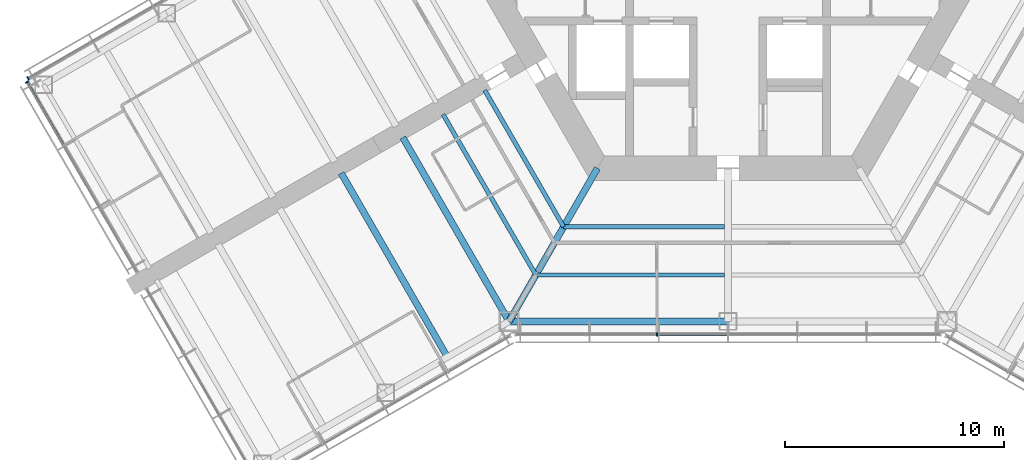
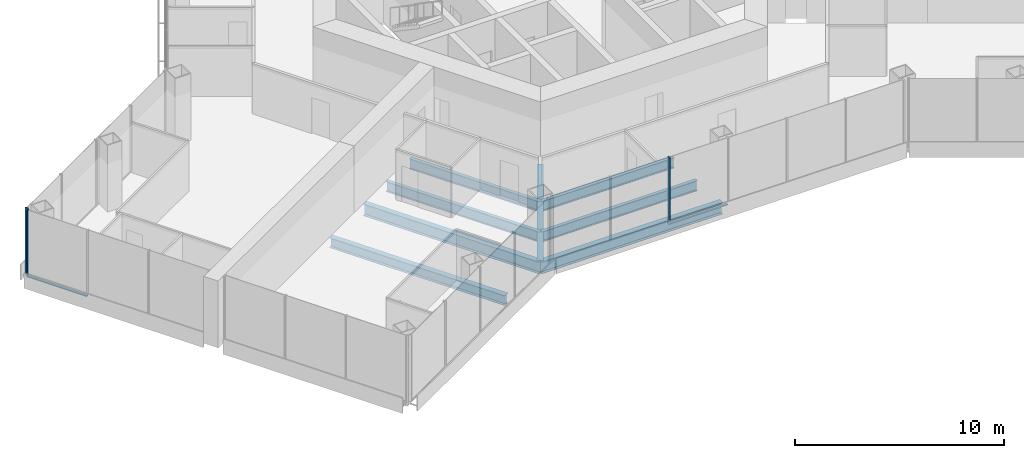
# One storey, part 3 of 19: 8 beams, 5 members, 3 elements without a shape of their own.
"""IFC4 building model written with IfcOpenShell, lengths in metres."""

import ifcopenshell
import ifcopenshell.guid

model = None  # the IFC model being written
_history = None  # IfcOwnerHistory: only IFC2X3 demands one
_inside = {}  # id of a spatial element -> (the spatial element, [elements in it])
_under = {}  # id of a project, library or spatial element -> (it, [spatial elements below it])
_declared = {}  # id of a project -> (the project, [libraries it declares])
_typed = {}  # id of a type object -> (the type object, [elements of that type])
_made_of = {}  # id of a material, layer set ... -> (it, [elements and type objects made of it])


def new_model(schema):
    """Start an empty IFC model of exactly this schema.

    Asked for "IFC4X3", IfcOpenShell would pick the latest addendum, in which some entities
    have other attributes; the version numbers below select the first issue.
    IFC2X3 requires an IfcOwnerHistory on every rooted entity: one is made here for all.
    """
    global model, _history
    if schema == "IFC4X3":
        model = ifcopenshell.file(schema_version=(4, 3, 0, 0))
    else:
        model = ifcopenshell.file(schema=schema)
    _inside.clear()
    _under.clear()
    _declared.clear()
    _typed.clear()
    _made_of.clear()
    _history = None
    if model.schema == "IFC2X3":
        org = make("IfcOrganization", Name="unknown")
        user = make(
            "IfcPersonAndOrganization",
            ThePerson=make("IfcPerson", FamilyName="unknown"),
            TheOrganization=org,
        )
        app = make(
            "IfcApplication",
            ApplicationDeveloper=org,
            Version="unknown",
            ApplicationFullName="unknown",
            ApplicationIdentifier="unknown",
        )
        _history = make(
            "IfcOwnerHistory",
            OwningUser=user,
            OwningApplication=app,
            ChangeAction="ADDED",
            CreationDate=0,
        )
    return model


def make(cls, **values):
    """One entity of the class cls with the attributes given. An attribute that is None is left unset."""
    return model.create_entity(
        cls, **{name: value for name, value in values.items() if value is not None}
    )


def rooted(cls, **values):
    """An entity with a GlobalId (a new one), such as an element, a storey or a relation."""
    return make(cls, GlobalId=ifcopenshell.guid.new(), OwnerHistory=_history, **values)


def si_unit(unit_type, name, prefix=None):
    """IfcSIUnit, for example si_unit("LENGTHUNIT", "METRE", prefix="MILLI")."""
    return make("IfcSIUnit", UnitType=unit_type, Prefix=prefix, Name=name)


def assignment(units):
    """IfcUnitAssignment: the units of a project."""
    return None if units is None else make("IfcUnitAssignment", Units=units)


def point(xyz):
    """IfcCartesianPoint."""
    return None if xyz is None else make("IfcCartesianPoint", Coordinates=xyz)


def direction(xyz):
    """IfcDirection."""
    return None if xyz is None else make("IfcDirection", DirectionRatios=xyz)


def frame(location, z_axis=None, x_axis=None):
    """IfcAxis2Placement3D, a coordinate frame: its origin and axes. An axis left out is left unset."""
    return make(
        "IfcAxis2Placement3D",
        Location=point(location),
        Axis=direction(z_axis),
        RefDirection=direction(x_axis),
    )


def frame_2d(location, x_axis=None):
    """IfcAxis2Placement2D, a coordinate frame in the plane: its origin and x axis."""
    return make(
        "IfcAxis2Placement2D", Location=point(location), RefDirection=direction(x_axis)
    )


def origin():
    """The frame at (0, 0, 0) with its axes left unset."""
    return frame((0.0, 0.0, 0.0))


def origin_2d():
    """The frame at (0, 0) in the plane with its x axis left unset."""
    return frame_2d((0.0, 0.0))


def place(relative_to, where):
    """IfcLocalPlacement: puts the frame where relative to a parent placement (None: the world)."""
    return make(
        "IfcLocalPlacement", PlacementRelTo=relative_to, RelativePlacement=where
    )


def context(
    kind, dimensions, precision=None, world=None, true_north=None, identifier=None
):
    """IfcGeometricRepresentationContext, for example the 3D "Model" context."""
    return make(
        "IfcGeometricRepresentationContext",
        ContextIdentifier=identifier,
        ContextType=kind,
        CoordinateSpaceDimension=dimensions,
        Precision=precision,
        WorldCoordinateSystem=world,
        TrueNorth=true_north,
    )


def subcontext(parent, identifier, kind, view, scale=None):
    """IfcGeometricRepresentationSubContext, for example "Body" below "Model"."""
    return make(
        "IfcGeometricRepresentationSubContext",
        ContextIdentifier=identifier,
        ContextType=kind,
        ParentContext=parent,
        TargetScale=scale,
        TargetView=view,
    )


def project(units=None, contexts=None):
    """IfcProject with its units and contexts."""
    return rooted(
        "IfcProject",
        Name="project",
        RepresentationContexts=contexts,
        UnitsInContext=assignment(units),
    )


def spatial(cls, under=None, at=None, **own):
    """A site, building, storey or space (cls), placed at a placement, below another one or the project."""
    s = rooted(cls, ObjectPlacement=at, **own)
    if under is not None:
        _under.setdefault(under.id(), (under, []))[1].append(s)
    return s


def profile(cls, at=None, kind="AREA", **sizes):
    """A parametric profile (cls). Its sizes go by their IFC names, for example OverallWidth=200.0."""
    return make(cls, ProfileType=kind, Position=at, **sizes)


def rectangle(**sizes):
    """IfcRectangleProfileDef."""
    return profile("IfcRectangleProfileDef", **sizes)


def i_section(**sizes):
    """IfcIShapeProfileDef."""
    return profile("IfcIShapeProfileDef", **sizes)


def extrude(swept, where, along, depth):
    """IfcExtrudedAreaSolid: the profile swept, set in the frame where, extruded along a direction by depth."""
    return make(
        "IfcExtrudedAreaSolid",
        SweptArea=swept,
        Position=where,
        ExtrudedDirection=direction(along),
        Depth=depth,
    )


def shape(context_of_items, identifier, shape_type, items):
    """IfcShapeRepresentation: the items that make up one representation, for example the "Body"."""
    return make(
        "IfcShapeRepresentation",
        ContextOfItems=context_of_items,
        RepresentationIdentifier=identifier,
        RepresentationType=shape_type,
        Items=items,
    )


def material(Name=None, Category=None):
    """IfcMaterial."""
    return make("IfcMaterial", Name=Name, Category=Category)


def material_profile(
    of_material, cross_section, Name=None, Category=None, Priority=None
):
    """IfcMaterialProfile: a cross section and its material."""
    return make(
        "IfcMaterialProfile",
        Name=Name,
        Material=of_material,
        Profile=cross_section,
        Priority=Priority,
        Category=Category,
    )


def profile_set(profiles, Name=None, composite=None):
    """IfcMaterialProfileSet."""
    return make(
        "IfcMaterialProfileSet",
        Name=Name,
        MaterialProfiles=profiles,
        CompositeProfile=composite,
    )


def made_of(thing, what):
    """Note that an element or type object is made of a material, layer set ...; save() writes the relation."""
    if what is not None:
        _made_of.setdefault(what.id(), (what, []))[1].append(thing)
    return thing


def type_object(cls, material=None, **own):
    """A type object (cls), such as IfcWallType, which elements share."""
    return made_of(rooted(cls, **own), material)


def element(
    cls,
    number,
    at=None,
    inside=None,
    cuts=None,
    type_object=None,
    material=None,
    context=None,
    identifier="Body",
    shape_type=None,
    held_by="IfcProductDefinitionShape",
    body=None,
    shapes=None,
    **own,
):
    """One element of the class cls, such as IfcWall. Its Tag is "e" and its number.

    at: its placement. inside: the storey or other place that contains it. cuts: it is an
    opening in that element (IfcRelVoidsElement). A single representation is given by context,
    identifier, shape_type and body (its items); several are given by shapes. held_by: the class
    of the entity that holds the representations. save() writes the other relations.
    """
    e = rooted(cls, Tag="e%d" % number, ObjectPlacement=at, **own)
    if body is not None:
        shapes = [shape(context, identifier, shape_type, body)]
    if shapes is not None:
        e.Representation = make(held_by, Representations=shapes)
    if inside is not None:
        _inside.setdefault(inside.id(), (inside, []))[1].append(e)
    if cuts is not None:
        rooted(
            "IfcRelVoidsElement", RelatingBuildingElement=cuts, RelatedOpeningElement=e
        )
    if type_object is not None:
        _typed.setdefault(type_object.id(), (type_object, []))[1].append(e)
    return made_of(e, material)


def aggregate(whole, parts):
    """IfcRelAggregates: a whole, such as a stair, and the parts it consists of."""
    return rooted("IfcRelAggregates", RelatingObject=whole, RelatedObjects=parts)


def save(model, path):
    """Write the relations noted so far, then the file.

    IfcRelAggregates (storeys below a building ...), IfcRelContainedInSpatialStructure (elements
    in a storey), IfcRelDefinesByType, IfcRelAssociatesMaterial and IfcRelDeclares: one each for
    every whole, place, type object, material and project.
    """
    for whole, parts in _under.values():
        aggregate(whole, parts)
    for where, things in _inside.values():
        rooted(
            "IfcRelContainedInSpatialStructure",
            RelatedElements=things,
            RelatingStructure=where,
        )
    for kind, things in _typed.values():
        rooted("IfcRelDefinesByType", RelatedObjects=things, RelatingType=kind)
    for what, things in _made_of.values():
        rooted("IfcRelAssociatesMaterial", RelatedObjects=things, RelatingMaterial=what)
    for by, libraries in _declared.values():
        rooted("IfcRelDeclares", RelatingContext=by, RelatedDefinitions=libraries)
    model.write(path)


model = new_model("IFC4")

# Units and contexts
model_context = context("Model", 3, precision=1e-05, world=origin(), true_north=direction((0.0, 1.0)))
body_context = subcontext(model_context, "Body", "Model", "MODEL_VIEW")
ifc_project = project(units=[si_unit("LENGTHUNIT", "METRE"), si_unit("AREAUNIT", "SQUARE_METRE"), si_unit("VOLUMEUNIT", "CUBIC_METRE"), si_unit("PLANEANGLEUNIT", "RADIAN"), si_unit("MASSUNIT", "GRAM", prefix="KILO")], contexts=[model_context])

# Site, building, storey
site_placement = place(None, origin())
site = spatial("IfcSite", under=ifc_project, at=site_placement, CompositionType="ELEMENT")
building_placement = place(site_placement, origin())
building = spatial("IfcBuilding", under=site, at=building_placement, Name="Kasaneha Research Tower", CompositionType="ELEMENT")
storey_placement = place(building_placement, frame((0.0, 0.0, 96.300048828125)))
storey = spatial("IfcBuildingStorey", under=building, at=storey_placement, Name="L24", CompositionType="ELEMENT", Elevation=96.300048828125)

# Beams
ifc_material_1 = material(Name="Steel SN490B", Category="steel")
ifc_material_profile_1 = material_profile(ifc_material_1, i_section(OverallWidth=0.199951171875, OverallDepth=0.60009765625, WebThickness=0.010986328125, FlangeThickness=0.01708984375, FilletRadius=0.012939453125, at=origin_2d()), Name="H-600x200x11x17")
ifc_profile_set_1 = profile_set([ifc_material_profile_1], Name="Steel SN490B")
beam_type_1 = type_object("IfcBeamType", Name="B1-3 secondary beam H-600x200x11x17", PredefinedType="JOIST", material=ifc_profile_set_1)
beam_1_placement = place(storey_placement, frame((-7.505615234375, -13.0, -0.449951171875), z_axis=(-0.499998147991, 0.86602647304, 0.0), x_axis=(-0.86602647304, -0.499998147991, 0.0)))
element("IfcBeam", 1, at=beam_1_placement, inside=storey, type_object=beam_type_1, Name="Secondary beam RS210R1 L24", PredefinedType="JOIST", context=body_context, shape_type="SweptSolid", body=[
    extrude(i_section(OverallWidth=0.199951171875, OverallDepth=0.60009765625, WebThickness=0.010986328125, FlangeThickness=0.01708984375, FilletRadius=0.012939453125, at=origin_2d()), origin(), (0.0, 0.0, 1.0), 7.20556640625),
])
beam_2_placement = place(storey_placement, frame((-8.775634765625, -15.199951171875, -0.449951171875), z_axis=(-0.500020829043, 0.866013377797, 0.0), x_axis=(-0.866013377797, -0.500020829043, 0.0)))
element("IfcBeam", 2, at=beam_2_placement, inside=storey, type_object=beam_type_1, Name="Secondary beam RS210R2 L24", PredefinedType="JOIST", context=body_context, shape_type="SweptSolid", body=[
    extrude(i_section(OverallWidth=0.199951171875, OverallDepth=0.60009765625, WebThickness=0.010986328125, FlangeThickness=0.01708984375, FilletRadius=0.012939453125, at=origin_2d()), origin(), (0.0, 0.0, 1.0), 8.475830078125),
])
beam_3_placement = place(storey_placement, frame((-7.505615234375, -13.0, -0.449951171875), z_axis=(1.0, 0.0, 0.0), x_axis=(0.0, 1.0, 0.0)))
element("IfcBeam", 3, at=beam_3_placement, inside=storey, type_object=beam_type_1, Name="Secondary beam RS270L1 L24", PredefinedType="JOIST", context=body_context, shape_type="SweptSolid", body=[
    extrude(i_section(OverallWidth=0.199951171875, OverallDepth=0.60009765625, WebThickness=0.010986328125, FlangeThickness=0.01708984375, FilletRadius=0.012939453125, at=origin_2d()), origin(), (0.0, 0.0, 1.0), 7.355712890625),
])
beam_4_placement = place(storey_placement, frame((-8.775634765625, -15.199951171875, -0.449951171875), z_axis=(1.0, 0.0, 0.0), x_axis=(0.0, 1.0, 0.0)))
element("IfcBeam", 4, at=beam_4_placement, inside=storey, type_object=beam_type_1, Name="Secondary beam RS270L2 L24", PredefinedType="JOIST", context=body_context, shape_type="SweptSolid", body=[
    extrude(i_section(OverallWidth=0.199951171875, OverallDepth=0.60009765625, WebThickness=0.010986328125, FlangeThickness=0.01708984375, FilletRadius=0.012939453125, at=origin_2d()), origin(), (0.0, 0.0, 1.0), 8.625732421875),
])
ifc_material_2 = material(Name="Steel SN490B", Category="steel")
ifc_material_profile_2 = material_profile(ifc_material_2, i_section(OverallWidth=0.300048828125, OverallDepth=0.58203125, WebThickness=0.011962890625, FlangeThickness=0.01708984375, FilletRadius=0.012939453125, at=origin_2d()), Name="H-582x300x12x17")
ifc_profile_set_2 = profile_set([ifc_material_profile_2], Name="Steel SN490B")
beam_type_2 = type_object("IfcBeamType", Name="B2-3 secondary beam H-582x300x12x17", PredefinedType="JOIST", material=ifc_profile_set_2)
beam_5_placement = place(storey_placement, frame((-12.814697265625, -18.945556640625, -0.441162109375), z_axis=(-0.499991164321, 0.866030505006, 0.0), x_axis=(-0.866030505006, -0.499991164321, 0.0)))
element("IfcBeam", 5, at=beam_5_placement, inside=storey, type_object=beam_type_2, Name="Secondary beam WBBN1 L24", PredefinedType="JOIST", context=body_context, shape_type="SweptSolid", body=[
    extrude(i_section(OverallWidth=0.300048828125, OverallDepth=0.58203125, WebThickness=0.011962890625, FlangeThickness=0.01708984375, FilletRadius=0.012939453125, at=origin_2d()), origin(), (0.0, 0.0, 1.0), 9.699951171875),
])

# Curtain wall, member
ifc_material_3 = material(Name="Glass and aluminium", Category="aluminium")
curtain_wall_type = type_object("IfcCurtainWallType", Name="Low-rise office curtain wall", PredefinedType="USERDEFINED", material=ifc_material_3)
curtain_wall_1_placement = place(storey_placement, origin())
curtain_wall_1 = element("IfcCurtainWall", 6, at=curtain_wall_1_placement, inside=storey, type_object=curtain_wall_type, Name="CW-O1 L24 run 02a", ObjectType="UNITISED CURTAIN WALL", PredefinedType="USERDEFINED")
ifc_material_4 = material(Name="Aluminium 6063-T6", Category="aluminium")
ifc_material_profile_3 = material_profile(ifc_material_4, rectangle(XDim=0.06005859375, YDim=0.159912109375, at=origin_2d()), Name="CW-O1 mullion 60x160")
ifc_profile_set_3 = profile_set([ifc_material_profile_3], Name="Aluminium 6063-T6")
member_type_1 = type_object("IfcMemberType", Name="CW-O1 mullion", PredefinedType="MULLION", material=ifc_profile_set_3)
member_1_placement = place(storey_placement, frame((-3.246337890625, -17.92041015625, 0.0), z_axis=(0.0, 0.0, 1.0), x_axis=(1.0, 0.0, 0.0)))
member_1 = element("IfcMember", 7, at=member_1_placement, type_object=member_type_1, Name="CW-O1 mullion 3", PredefinedType="MULLION", context=body_context, shape_type="SweptSolid", body=[
    extrude(rectangle(XDim=0.06005859375, YDim=0.159912109375, at=origin_2d()), origin(), (0.0, 0.0, 1.0), 3.89990234375),
])

curtain_wall_2_placement = place(storey_placement, origin())
curtain_wall_2 = element("IfcCurtainWall", 8, at=curtain_wall_2_placement, inside=storey, type_object=curtain_wall_type, Name="CW-O1 L24 run 13a", ObjectType="UNITISED CURTAIN WALL", PredefinedType="USERDEFINED")
member_2_placement = place(storey_placement, frame((-31.96533203125, -6.21533203125, 0.0), z_axis=(0.0, 0.0, 1.0), x_axis=(-0.866025411464, -0.499999986699, 0.0)))
member_2 = element("IfcMember", 9, at=member_2_placement, type_object=member_type_1, Name="CW-O1 mullion 5", PredefinedType="MULLION", context=body_context, shape_type="SweptSolid", body=[
    extrude(rectangle(XDim=0.06005859375, YDim=0.159912109375, at=origin_2d()), origin(), (0.0, 0.0, 1.0), 3.89990234375),
])
aggregate(curtain_wall_2, [member_2])

curtain_wall_3_placement = place(storey_placement, origin())
curtain_wall_3 = element("IfcCurtainWall", 10, at=curtain_wall_3_placement, inside=storey, type_object=curtain_wall_type, Name="CW-O1 L24 run 14a", ObjectType="UNITISED CURTAIN WALL", PredefinedType="USERDEFINED")
member_3_placement = place(storey_placement, frame((-32.012939453125, -6.39306640625, 0.0), z_axis=(0.0, 0.0, 1.0), x_axis=(0.500000011442, -0.866025397178, 0.0)))
member_3 = element("IfcMember", 11, at=member_3_placement, type_object=member_type_1, Name="CW-O1 mullion 1", PredefinedType="MULLION", context=body_context, shape_type="SweptSolid", body=[
    extrude(rectangle(XDim=0.06005859375, YDim=0.159912109375, at=origin_2d()), origin(), (0.0, 0.0, 1.0), 3.89990234375),
])

# Member
ifc_material_5 = material(Name="Aluminium 6063-T6", Category="aluminium")
ifc_material_profile_4 = material_profile(ifc_material_5, rectangle(XDim=0.1201171875, YDim=0.06005859375, at=origin_2d()), Name="CW-O1 transom 120x60")
ifc_profile_set_4 = profile_set([ifc_material_profile_4], Name="Aluminium 6063-T6")
member_type_2 = type_object("IfcMemberType", Name="CW-O1 transom", PredefinedType="USERDEFINED", material=ifc_profile_set_4)
member_4_placement = place(storey_placement, frame((-3.21630859375, -17.92041015625, 0.030029296875), z_axis=(1.0, 0.0, 0.0), x_axis=(0.0, 1.0, 0.0)))
member_4 = element("IfcMember", 12, at=member_4_placement, type_object=member_type_2, Name="CW-O1 transom 3", ObjectType="TRANSOM", PredefinedType="USERDEFINED", context=body_context, shape_type="SweptSolid", body=[
    extrude(rectangle(XDim=0.1201171875, YDim=0.06005859375, at=origin_2d()), origin(), (0.0, 0.0, 1.0), 3.186279296875),
])

aggregate(curtain_wall_1, [member_1, member_4])

member_5_placement = place(storey_placement, frame((-31.998046875, -6.4189453125, 0.030029296875), z_axis=(0.500025583411, -0.866010632691, 0.0), x_axis=(0.866010632691, 0.500025583411, 0.0)))
member_5 = element("IfcMember", 13, at=member_5_placement, type_object=member_type_2, Name="CW-O1 transom 1", ObjectType="TRANSOM", PredefinedType="USERDEFINED", context=body_context, shape_type="SweptSolid", body=[
    extrude(rectangle(XDim=0.1201171875, YDim=0.06005859375, at=origin_2d()), origin(), (0.0, 0.0, 1.0), 3.276611328125),
])

aggregate(curtain_wall_3, [member_3, member_5])

# Beams
ifc_material_6 = material(Name="Steel SN490B", Category="steel")
ifc_material_profile_5 = material_profile(ifc_material_6, i_section(OverallWidth=0.300048828125, OverallDepth=0.699951171875, WebThickness=0.012939453125, FlangeThickness=0.02392578125, FilletRadius=0.01806640625, at=origin_2d()), Name="H-700x300x13x24")
ifc_profile_set_5 = profile_set([ifc_material_profile_5], Name="Steel SN490B")
beam_type_3 = type_object("IfcBeamType", Name="G1-3 radial girder H-700x300x13x24", PredefinedType="BEAM", material=ifc_profile_set_5)
beam_6_placement = place(storey_placement, frame((-5.961181640625, -10.324951171875, -0.5), z_axis=(-0.49999105496, -0.866030568144, 0.0), x_axis=(0.866030568144, -0.49999105496, 0.0)))
element("IfcBeam", 14, at=beam_6_placement, inside=storey, type_object=beam_type_3, Name="Radial girder RV240 L24", PredefinedType="BEAM", context=body_context, shape_type="SweptSolid", body=[
    extrude(i_section(OverallWidth=0.300048828125, OverallDepth=0.699951171875, WebThickness=0.012939453125, FlangeThickness=0.02392578125, FilletRadius=0.01806640625, at=origin_2d()), origin(), (0.0, 0.0, 1.0), 8.077880859375),
])
ifc_material_7 = material(Name="Steel SN490B", Category="steel")
ifc_material_profile_6 = material_profile(ifc_material_7, i_section(OverallWidth=0.300048828125, OverallDepth=0.69189453125, WebThickness=0.012939453125, FlangeThickness=0.02001953125, FilletRadius=0.01806640625, at=origin_2d()), Name="H-692x300x13x20")
ifc_profile_set_6 = profile_set([ifc_material_profile_6], Name="Steel SN490B")
beam_type_4 = type_object("IfcBeamType", Name="G3-3 plate edge girder H-692x300x13x20", PredefinedType="BEAM", material=ifc_profile_set_6)
beam_7_placement = place(storey_placement, frame((-10.0, -17.320556640625, -0.49609375), z_axis=(-0.500010041276, 0.866019606374, 0.0), x_axis=(-0.866019606374, -0.500010041276, 0.0)))
element("IfcBeam", 15, at=beam_7_placement, inside=storey, type_object=beam_type_4, Name="Plate edge girder PEBN L24", PredefinedType="BEAM", context=body_context, shape_type="SweptSolid", body=[
    extrude(i_section(OverallWidth=0.300048828125, OverallDepth=0.69189453125, WebThickness=0.012939453125, FlangeThickness=0.02001953125, FilletRadius=0.01806640625, at=origin_2d()), origin(), (0.0, 0.0, 1.0), 9.699951171875),
])
ifc_material_8 = material(Name="Steel SN490B", Category="steel")
ifc_material_profile_7 = material_profile(ifc_material_8, i_section(OverallWidth=0.300048828125, OverallDepth=0.69189453125, WebThickness=0.012939453125, FlangeThickness=0.02001953125, FilletRadius=0.01806640625, at=origin_2d()), Name="H-692x300x13x20")
ifc_profile_set_7 = profile_set([ifc_material_profile_7], Name="Steel SN490B")
beam_type_5 = type_object("IfcBeamType", Name="SB1-3 spandrel beam H-692x300x13x20", PredefinedType="SPANDREL", material=ifc_profile_set_7)
beam_8_placement = place(storey_placement, frame((-10.0, -17.320556640625, -0.49609375), z_axis=(1.0, 0.0, 0.0), x_axis=(0.0, 1.0, 0.0)))
element("IfcBeam", 16, at=beam_8_placement, inside=storey, type_object=beam_type_5, Name="Spandrel beam SR270L L24", PredefinedType="SPANDREL", context=body_context, shape_type="SweptSolid", body=[
    extrude(i_section(OverallWidth=0.300048828125, OverallDepth=0.69189453125, WebThickness=0.012939453125, FlangeThickness=0.02001953125, FilletRadius=0.01806640625, at=origin_2d()), origin(), (0.0, 0.0, 1.0), 10.0),
])

save(model, "model.ifc")
